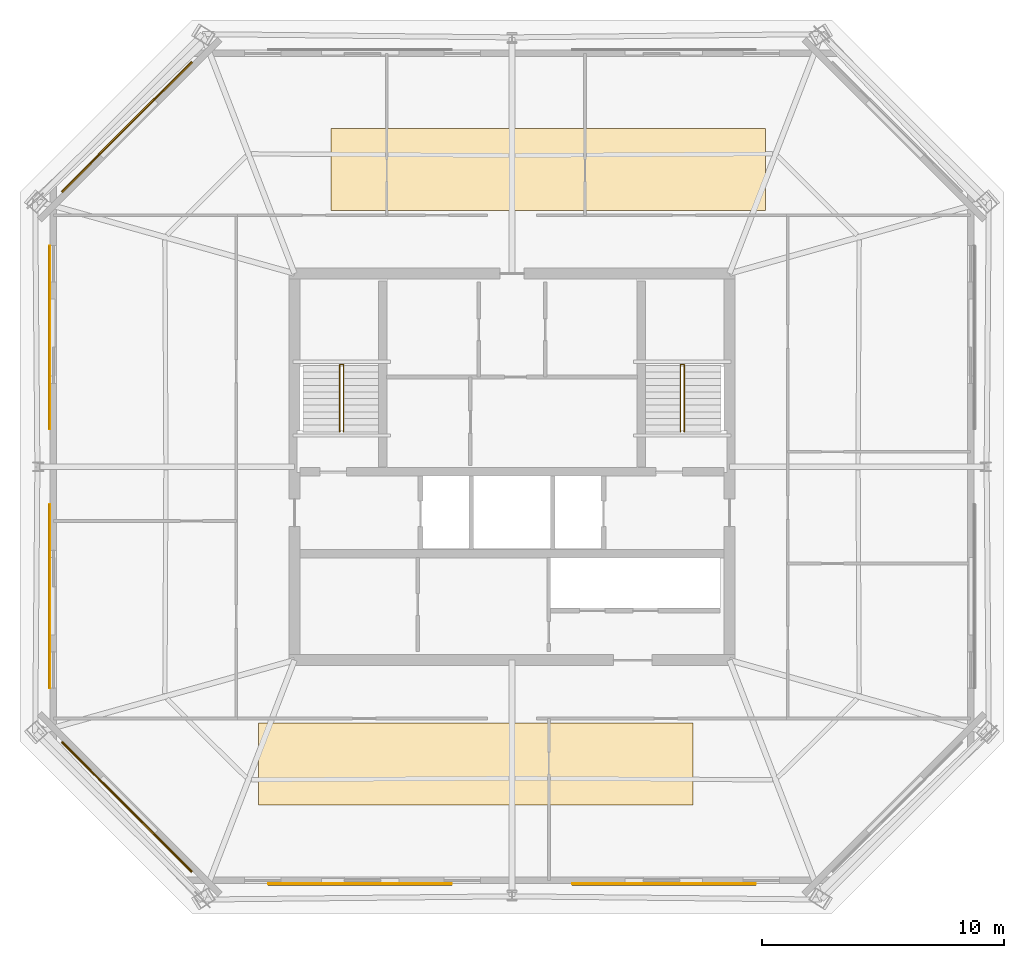
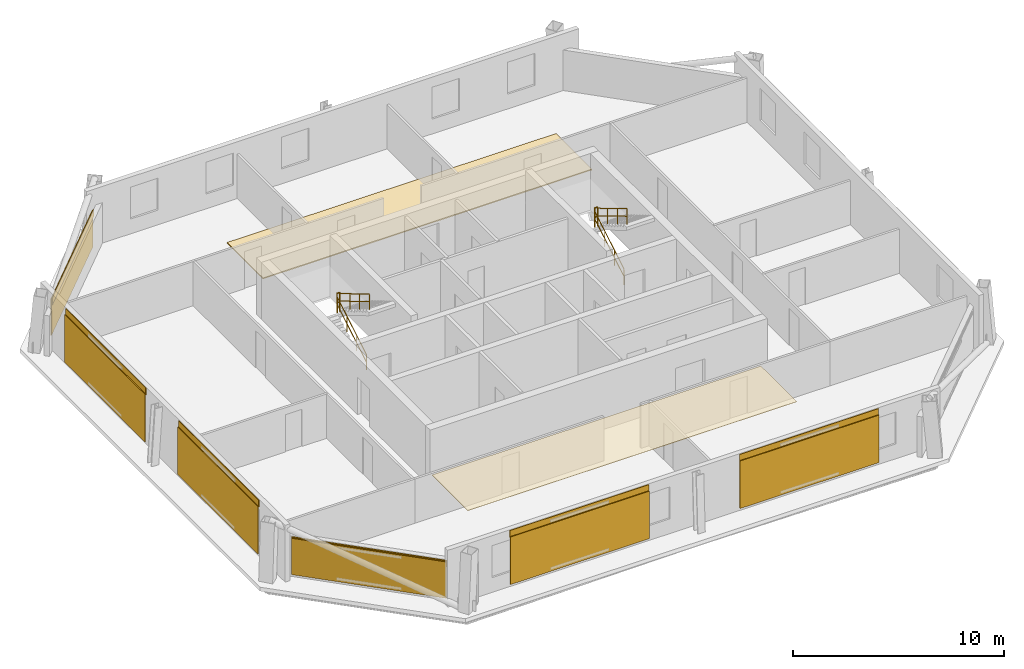
# One storey, part 6 of 7: 8 coverings, 6 railings, 6 shading devices.
"""IFC4 building model written with IfcOpenShell, lengths in metres."""

from ifc_helpers import new_model, si_unit, direction, frame, origin, origin_2d, place, context, subcontext, project, spatial, polyline, rectangle, circle, outline, extrude, material, layer, layer_set, type_object, element, save


model = new_model("IFC4")

# Units and contexts
model_context = context("Model", 3, precision=1e-05, world=origin(), true_north=direction((0.0, 1.0)))
body_context = subcontext(model_context, "Body", "Model", "MODEL_VIEW")
ifc_project = project(units=[si_unit("LENGTHUNIT", "METRE"), si_unit("AREAUNIT", "SQUARE_METRE"), si_unit("VOLUMEUNIT", "CUBIC_METRE"), si_unit("PLANEANGLEUNIT", "RADIAN"), si_unit("MASSUNIT", "GRAM", prefix="KILO")], contexts=[model_context])

# Site, building, storey
site_placement = place(None, origin())
site = spatial("IfcSite", under=ifc_project, at=site_placement, CompositionType="ELEMENT")
building_placement = place(site_placement, origin())
building = spatial("IfcBuilding", under=site, at=building_placement, Name="Caelvoria Tower", CompositionType="ELEMENT")
storey_placement = place(building_placement, frame((0.0, 0.0, 231.0)))
storey = spatial("IfcBuildingStorey", under=building, at=storey_placement, Name="L61", CompositionType="ELEMENT", Elevation=231.0)

# Coverings
ifc_material_1 = material(Name="Acoustic Mineral Fibre Tile", Category="gypsum")
ifc_layer_1 = layer(ifc_material_1, 0.02490234375, Name="Acoustic Mineral Fibre Tile")
ifc_layer_set_1 = layer_set([ifc_layer_1], Name="Mineral-Fibre Acoustic Suspended Ceiling 25 - Acoustic Mineral Fibre Tile")
covering_type_1 = type_object("IfcCoveringType", Name="Mineral-Fibre Acoustic Suspended Ceiling 25", PredefinedType="CEILING", material=ifc_layer_set_1)
covering_1_placement = place(storey_placement, frame((0.0, 0.0, 2.554931640625)))
element("IfcCovering", 1, at=covering_1_placement, inside=storey, type_object=covering_type_1, Name="Suspended Acoustic Ceiling L61", PredefinedType="CEILING", context=body_context, shape_type="SweptSolid", body=[
    extrude(outline(polyline([(35.5, 18.0), (53.5, 18.0), (53.5, 21.39990234375), (35.5, 21.39990234375), (35.5, 18.0)])), origin(), (0.0, 0.0, 1.0), 0.025146484375),
])
ifc_material_2 = material(Name="Perforated Architectural Bronze Cladding Screen", Category="bronze")
ifc_layer_2 = layer(ifc_material_2, 0.0400390625, Name="Perforated Architectural Bronze Cladding Screen")
ifc_layer_set_2 = layer_set([ifc_layer_2], Name="Perforated Bronze Louvre Cladding Band 40 - Perforated Architectural Bronze Cladding Screen")
covering_type_2 = type_object("IfcCoveringType", Name="Perforated Bronze Louvre Cladding Band 40", PredefinedType="CLADDING", material=ifc_layer_set_2)
for number, where, z_axis, x_axis, name in (
    (2, (39.714111328125, 14.74462890625, 2.860107421875), (0.0, 0.0, 1.0), (1.0, 0.0, 0.0), "Perforated Bronze Screen Band L61-E0-00"),
    (3, (52.285888671875, 14.74462890625, 2.860107421875), (0.0, 0.0, 1.0), (1.0, 0.0, 0.0), "Perforated Bronze Screen Band L61-E0-01"),
    (4, (30.078125, 46.0537109375, 1.923095703125), (0.0, 0.0, 1.0), (-0.707106781187, -0.707106781187, 0.0), "Perforated Bronze Screen Band L61-E5-00"),
    (5, (26.87646484375, 37.351806640625, 2.860107421875), (0.0, 0.0, 1.0), (0.0, -1.0, 0.0), "Perforated Bronze Screen Band L61-E6-00"),
    (6, (26.87646484375, 26.648193359375, 2.860107421875), (0.0, 0.0, 1.0), (0.0, -1.0, 0.0), "Perforated Bronze Screen Band L61-E6-01"),
    (7, (30.078125, 17.9462890625, 1.923095703125), (0.0, 0.0, 1.0), (0.707106781187, -0.707106781187, 0.0), "Perforated Bronze Screen Band L61-E7-00"),
):
    element("IfcCovering", number, at=place(storey_placement, frame(where, z_axis=z_axis, x_axis=x_axis)), inside=storey, type_object=covering_type_2, Name=name, PredefinedType="CLADDING", context=body_context, shape_type="SweptSolid", body=[
        extrude(rectangle(XDim=7.60009765625, YDim=0.0400390625, at=origin_2d()), origin(), (0.0, 0.0, 1.0), 0.39990234375),
    ])

# Shading devices
ifc_material_3 = material(Name="Perforated Architectural Bronze Alloy Panel", Category="bronze")
ifc_layer_3 = layer(ifc_material_3, 0.044921875, Name="Perforated Architectural Bronze Alloy Panel")
ifc_layer_set_3 = layer_set([ifc_layer_3], Name="Perforated Bronze Solar Screen Panel SCREEN - Perforated Architectural Bronze Alloy Panel")
shading_device_type = type_object("IfcShadingDeviceType", Name="Perforated Bronze Solar Screen Panel SCREEN", PredefinedType="USERDEFINED", material=ifc_layer_set_3)
for number, where, z_axis, x_axis, name in (
    (8, (39.714111328125, 14.70166015625, 0.159912109375), (0.0, 0.0, 1.0), (1.0, 0.0, 0.0), "Perforated Bronze Solar Screen L61-E0-00"),
    (9, (52.285888671875, 14.70166015625, 0.159912109375), (0.0, 0.0, 1.0), (1.0, 0.0, 0.0), "Perforated Bronze Solar Screen L61-E0-01"),
):
    element("IfcShadingDevice", number, at=place(storey_placement, frame(where, z_axis=z_axis, x_axis=x_axis)), inside=storey, type_object=shading_device_type, Name=name, ObjectType="SCREEN", PredefinedType="USERDEFINED", context=body_context, shape_type="SweptSolid", body=[
        extrude(rectangle(XDim=7.60009765625, YDim=0.044921875, at=origin_2d()), origin(), (0.0, 0.0, 1.0), 2.75),
    ])
shading_device_1_placement = place(storey_placement, frame((30.0478515625, 46.083984375, 0.159912109375), z_axis=(0.0, 0.0, 1.0), x_axis=(-0.707106781187, -0.707106781187, 0.0)))
element("IfcShadingDevice", 10, at=shading_device_1_placement, inside=storey, type_object=shading_device_type, Name="Perforated Bronze Solar Screen L61-E5-00", ObjectType="SCREEN", PredefinedType="USERDEFINED", context=body_context, shape_type="SweptSolid", body=[
    extrude(rectangle(XDim=7.60009765625, YDim=0.044921875, at=origin_2d()), origin(), (0.0, 0.0, 1.0), 2.10302734375),
])
for number, where, z_axis, x_axis, name in (
    (11, (26.83349609375, 37.351806640625, 0.159912109375), (0.0, 0.0, 1.0), (0.0, -1.0, 0.0), "Perforated Bronze Solar Screen L61-E6-00"),
    (12, (26.83349609375, 26.648193359375, 0.159912109375), (0.0, 0.0, 1.0), (0.0, -1.0, 0.0), "Perforated Bronze Solar Screen L61-E6-01"),
):
    element("IfcShadingDevice", number, at=place(storey_placement, frame(where, z_axis=z_axis, x_axis=x_axis)), inside=storey, type_object=shading_device_type, Name=name, ObjectType="SCREEN", PredefinedType="USERDEFINED", context=body_context, shape_type="SweptSolid", body=[
        extrude(rectangle(XDim=7.60009765625, YDim=0.044921875, at=origin_2d()), origin(), (0.0, 0.0, 1.0), 2.75),
    ])
shading_device_2_placement = place(storey_placement, frame((30.0478515625, 17.916015625, 0.159912109375), z_axis=(0.0, 0.0, 1.0), x_axis=(0.707106781187, -0.707106781187, 0.0)))
element("IfcShadingDevice", 13, at=shading_device_2_placement, inside=storey, type_object=shading_device_type, Name="Perforated Bronze Solar Screen L61-E7-00", ObjectType="SCREEN", PredefinedType="USERDEFINED", context=body_context, shape_type="SweptSolid", body=[
    extrude(rectangle(XDim=7.60009765625, YDim=0.044921875, at=origin_2d()), origin(), (0.0, 0.0, 1.0), 2.10302734375),
])

# Covering
ifc_material_4 = material(Name="Calcium-Sulphate Raised Floor Tile", Category="gypsum")
ifc_layer_4 = layer(ifc_material_4, 0.06005859375, Name="Calcium-Sulphate Raised Floor Tile")
ifc_layer_set_4 = layer_set([ifc_layer_4], Name="Raised Access Office Floor System 120 - Calcium-Sulphate Raised Floor Tile")
covering_type_3 = type_object("IfcCoveringType", Name="Raised Access Office Floor System 120", PredefinedType="FLOORING", material=ifc_layer_set_4)
covering_2_placement = place(storey_placement, origin())
element("IfcCovering", 14, at=covering_2_placement, inside=storey, type_object=covering_type_3, Name="Raised Access Flooring L61", PredefinedType="FLOORING", context=body_context, shape_type="SweptSolid", body=[
    extrude(outline(polyline([(38.5, 42.60009765625), (56.5, 42.60009765625), (56.5, 46.0), (38.5, 46.0), (38.5, 42.60009765625)])), origin(), (0.0, 0.0, 1.0), 0.06005859375),
])

# Railings
ifc_material_5 = material(Name="Brushed Stainless Steel Tube", Category="steel")
railing_type_1 = type_object("IfcRailingType", Name="Stair Tubular Stainless Handrail 920", PredefinedType="HANDRAIL", material=ifc_material_5)
railing_1_placement = place(storey_placement, frame((38.8701171875, 33.449951171875, 0.16357421875)))
element("IfcRailing", 15, at=railing_1_placement, inside=storey, type_object=railing_type_1, Name="ST-01 Flight 1 Handrail L61", PredefinedType="HANDRAIL", context=body_context, shape_type="SweptSolid", body=[
    extrude(circle(Radius=0.02392578125, at=origin_2d()), frame((0.0, 0.0, 0.89599609375), z_axis=(0.0, 0.859351957796, 0.511384603436), x_axis=(-1.0, 0.0, 0.0)), (0.0, 0.0, 1.0), 3.2001953125),
    extrude(circle(Radius=0.02392578125, at=origin_2d()), frame((0.0, 0.0, 0.4599609375), z_axis=(0.0, 0.859351957796, 0.511384603436), x_axis=(-1.0, 0.0, 0.0)), (0.0, 0.0, 1.0), 3.2001953125),
    extrude(circle(Radius=0.02099609375, at=origin_2d()), origin(), (0.0, 0.0, 1.0), 0.871826171875),
    extrude(circle(Radius=0.02099609375, at=origin_2d()), frame((0.0, 0.916748046875, 0.54541015625)), (0.0, 0.0, 1.0), 0.871826171875),
    extrude(circle(Radius=0.02099609375, at=origin_2d()), frame((0.0, 1.833251953125, 1.091064453125)), (0.0, 0.0, 1.0), 0.871826171875),
    extrude(circle(Radius=0.02099609375, at=origin_2d()), frame((0.0, 2.75, 1.636474609375)), (0.0, 0.0, 1.0), 0.871826171875),
])
railing_2_placement = place(storey_placement, frame((39.030029296875, 36.199951171875, 1.963623046875)))
element("IfcRailing", 16, at=railing_2_placement, inside=storey, type_object=railing_type_1, Name="ST-01 Flight 2 Handrail L61", PredefinedType="HANDRAIL", context=body_context, shape_type="SweptSolid", body=[
    extrude(circle(Radius=0.02392578125, at=origin_2d()), frame((0.0, 0.0, 0.89599609375), z_axis=(0.0, -0.859351957796, 0.511384603436), x_axis=(1.0, 0.0, 0.0)), (0.0, 0.0, 1.0), 3.2001953125),
    extrude(circle(Radius=0.02392578125, at=origin_2d()), frame((0.0, 0.0, 0.4599609375), z_axis=(0.0, -0.859351957796, 0.511384603436), x_axis=(1.0, 0.0, 0.0)), (0.0, 0.0, 1.0), 3.2001953125),
    extrude(circle(Radius=0.02099609375, at=origin_2d()), origin(), (0.0, 0.0, 1.0), 0.871826171875),
    extrude(circle(Radius=0.02099609375, at=origin_2d()), frame((0.0, -0.916748046875, 0.54541015625)), (0.0, 0.0, 1.0), 0.871826171875),
    extrude(circle(Radius=0.02099609375, at=origin_2d()), frame((0.0, -1.833251953125, 1.091064453125)), (0.0, 0.0, 1.0), 0.871826171875),
    extrude(circle(Radius=0.02099609375, at=origin_2d()), frame((0.0, -2.75, 1.636474609375)), (0.0, 0.0, 1.0), 0.871826171875),
])
railing_3_placement = place(storey_placement, frame((52.969970703125, 33.449951171875, 0.16357421875)))
element("IfcRailing", 17, at=railing_3_placement, inside=storey, type_object=railing_type_1, Name="ST-02 Flight 1 Handrail L61", PredefinedType="HANDRAIL", context=body_context, shape_type="SweptSolid", body=[
    extrude(circle(Radius=0.02392578125, at=origin_2d()), frame((0.0, 0.0, 0.89599609375), z_axis=(0.0, 0.859351957796, 0.511384603436), x_axis=(-1.0, 0.0, 0.0)), (0.0, 0.0, 1.0), 3.2001953125),
    extrude(circle(Radius=0.02392578125, at=origin_2d()), frame((0.0, 0.0, 0.4599609375), z_axis=(0.0, 0.859351957796, 0.511384603436), x_axis=(-1.0, 0.0, 0.0)), (0.0, 0.0, 1.0), 3.2001953125),
    extrude(circle(Radius=0.02099609375, at=origin_2d()), origin(), (0.0, 0.0, 1.0), 0.871826171875),
    extrude(circle(Radius=0.02099609375, at=origin_2d()), frame((0.0, 0.916748046875, 0.54541015625)), (0.0, 0.0, 1.0), 0.871826171875),
    extrude(circle(Radius=0.02099609375, at=origin_2d()), frame((0.0, 1.833251953125, 1.091064453125)), (0.0, 0.0, 1.0), 0.871826171875),
    extrude(circle(Radius=0.02099609375, at=origin_2d()), frame((0.0, 2.75, 1.636474609375)), (0.0, 0.0, 1.0), 0.871826171875),
])
railing_4_placement = place(storey_placement, frame((53.1298828125, 36.199951171875, 1.963623046875)))
element("IfcRailing", 18, at=railing_4_placement, inside=storey, type_object=railing_type_1, Name="ST-02 Flight 2 Handrail L61", PredefinedType="HANDRAIL", context=body_context, shape_type="SweptSolid", body=[
    extrude(circle(Radius=0.02392578125, at=origin_2d()), frame((0.0, 0.0, 0.89599609375), z_axis=(0.0, -0.859351957796, 0.511384603436), x_axis=(1.0, 0.0, 0.0)), (0.0, 0.0, 1.0), 3.2001953125),
    extrude(circle(Radius=0.02392578125, at=origin_2d()), frame((0.0, 0.0, 0.4599609375), z_axis=(0.0, -0.859351957796, 0.511384603436), x_axis=(1.0, 0.0, 0.0)), (0.0, 0.0, 1.0), 3.2001953125),
    extrude(circle(Radius=0.02099609375, at=origin_2d()), origin(), (0.0, 0.0, 1.0), 0.871826171875),
    extrude(circle(Radius=0.02099609375, at=origin_2d()), frame((0.0, -0.916748046875, 0.54541015625)), (0.0, 0.0, 1.0), 0.871826171875),
    extrude(circle(Radius=0.02099609375, at=origin_2d()), frame((0.0, -1.833251953125, 1.091064453125)), (0.0, 0.0, 1.0), 0.871826171875),
    extrude(circle(Radius=0.02099609375, at=origin_2d()), frame((0.0, -2.75, 1.636474609375)), (0.0, 0.0, 1.0), 0.871826171875),
])
ifc_material_6 = material(Name="Brushed Stainless Steel Guardrail", Category="steel")
railing_type_2 = type_object("IfcRailingType", Name="Stair Well and Ramp Guardrail 1120", PredefinedType="GUARDRAIL", material=ifc_material_6)
for number, where, name in (
    (19, (38.8701171875, 36.239990234375, 1.800048828125), "ST-01 Half-Landing Well Guard L61"),
    (20, (52.969970703125, 36.239990234375, 1.800048828125), "ST-02 Half-Landing Well Guard L61"),
):
    element("IfcRailing", number, at=place(storey_placement, frame(where)), inside=storey, type_object=railing_type_2, Name=name, PredefinedType="GUARDRAIL", context=body_context, shape_type="SweptSolid", body=[
        extrude(circle(Radius=0.02392578125, at=origin_2d()), frame((0.0, 0.0, 1.09619140625), z_axis=(1.0, 0.0, 0.0), x_axis=(0.0, 1.0, 0.0)), (0.0, 0.0, 1.0), 0.159912109375),
        extrude(circle(Radius=0.02392578125, at=origin_2d()), frame((0.0, 0.0, 0.56005859375), z_axis=(1.0, 0.0, 0.0), x_axis=(0.0, 1.0, 0.0)), (0.0, 0.0, 1.0), 0.159912109375),
        extrude(circle(Radius=0.02099609375, at=origin_2d()), origin(), (0.0, 0.0, 1.0), 1.072021484375),
        extrude(circle(Radius=0.02099609375, at=origin_2d()), frame((0.159912109375, 0.0, 0.0)), (0.0, 0.0, 1.0), 1.072021484375),
    ])

save(model, "model.ifc")
